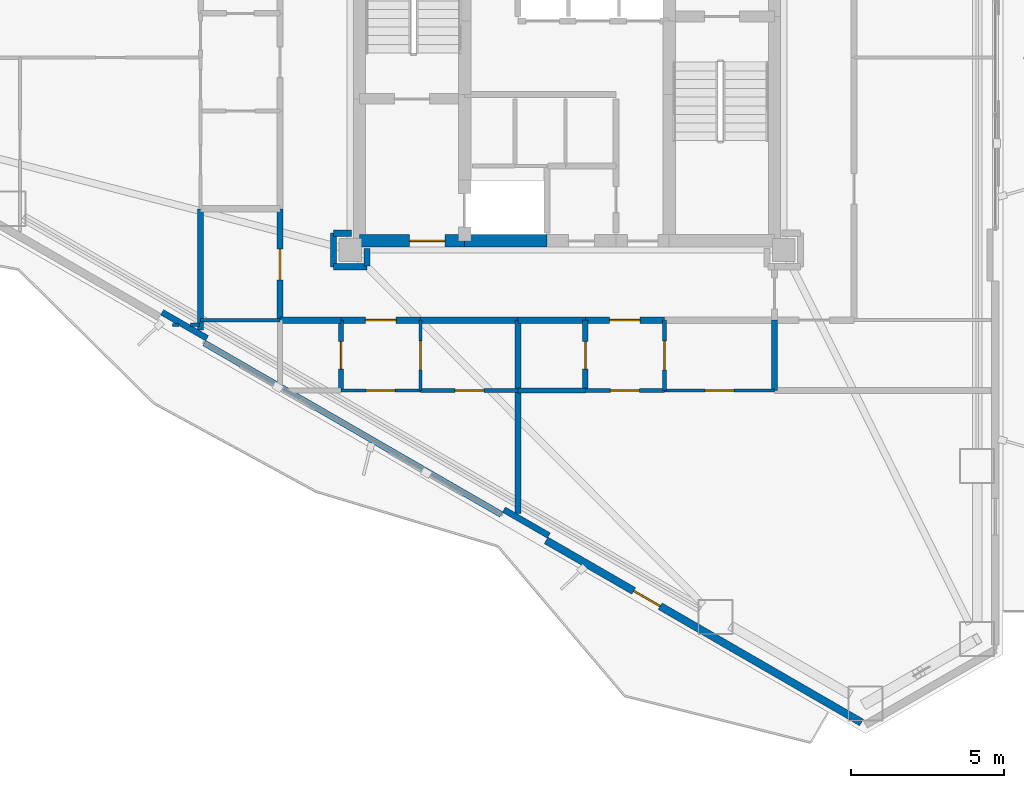
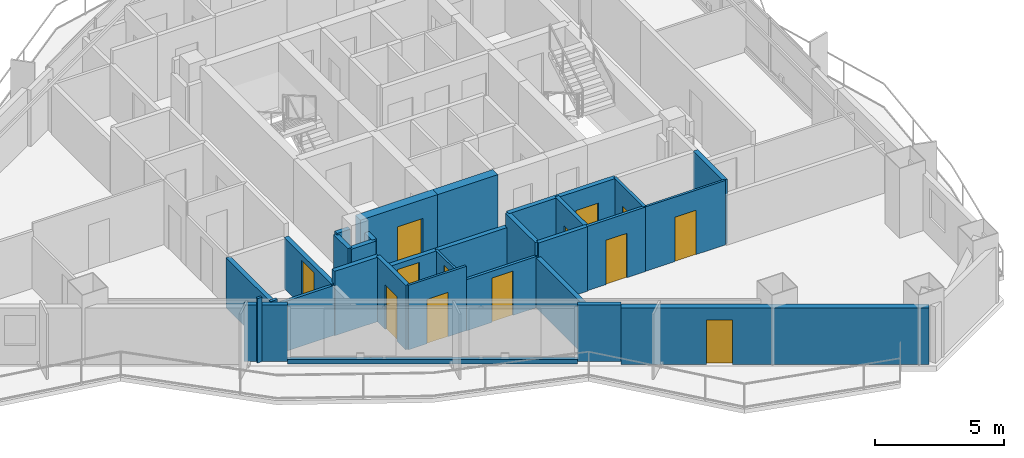
# One storey, part 16 of 23: 32 walls, 13 doors, 13 openings.
"""IFC4 building model written with IfcOpenShell, lengths in metres."""

import ifcopenshell
import ifcopenshell.guid

model = None  # the IFC model being written
_history = None  # IfcOwnerHistory: only IFC2X3 demands one
_inside = {}  # id of a spatial element -> (the spatial element, [elements in it])
_under = {}  # id of a project, library or spatial element -> (it, [spatial elements below it])
_declared = {}  # id of a project -> (the project, [libraries it declares])
_typed = {}  # id of a type object -> (the type object, [elements of that type])
_made_of = {}  # id of a material, layer set ... -> (it, [elements and type objects made of it])


def new_model(schema):
    """Start an empty IFC model of exactly this schema.

    Asked for "IFC4X3", IfcOpenShell would pick the latest addendum, in which some entities
    have other attributes; the version numbers below select the first issue.
    IFC2X3 requires an IfcOwnerHistory on every rooted entity: one is made here for all.
    """
    global model, _history
    if schema == "IFC4X3":
        model = ifcopenshell.file(schema_version=(4, 3, 0, 0))
    else:
        model = ifcopenshell.file(schema=schema)
    _inside.clear()
    _under.clear()
    _declared.clear()
    _typed.clear()
    _made_of.clear()
    _history = None
    if model.schema == "IFC2X3":
        org = make("IfcOrganization", Name="unknown")
        user = make(
            "IfcPersonAndOrganization",
            ThePerson=make("IfcPerson", FamilyName="unknown"),
            TheOrganization=org,
        )
        app = make(
            "IfcApplication",
            ApplicationDeveloper=org,
            Version="unknown",
            ApplicationFullName="unknown",
            ApplicationIdentifier="unknown",
        )
        _history = make(
            "IfcOwnerHistory",
            OwningUser=user,
            OwningApplication=app,
            ChangeAction="ADDED",
            CreationDate=0,
        )
    return model


def make(cls, **values):
    """One entity of the class cls with the attributes given. An attribute that is None is left unset."""
    return model.create_entity(
        cls, **{name: value for name, value in values.items() if value is not None}
    )


def rooted(cls, **values):
    """An entity with a GlobalId (a new one), such as an element, a storey or a relation."""
    return make(cls, GlobalId=ifcopenshell.guid.new(), OwnerHistory=_history, **values)


def si_unit(unit_type, name, prefix=None):
    """IfcSIUnit, for example si_unit("LENGTHUNIT", "METRE", prefix="MILLI")."""
    return make("IfcSIUnit", UnitType=unit_type, Prefix=prefix, Name=name)


def assignment(units):
    """IfcUnitAssignment: the units of a project."""
    return None if units is None else make("IfcUnitAssignment", Units=units)


def point(xyz):
    """IfcCartesianPoint."""
    return None if xyz is None else make("IfcCartesianPoint", Coordinates=xyz)


def direction(xyz):
    """IfcDirection."""
    return None if xyz is None else make("IfcDirection", DirectionRatios=xyz)


def frame(location, z_axis=None, x_axis=None):
    """IfcAxis2Placement3D, a coordinate frame: its origin and axes. An axis left out is left unset."""
    return make(
        "IfcAxis2Placement3D",
        Location=point(location),
        Axis=direction(z_axis),
        RefDirection=direction(x_axis),
    )


def frame_2d(location, x_axis=None):
    """IfcAxis2Placement2D, a coordinate frame in the plane: its origin and x axis."""
    return make(
        "IfcAxis2Placement2D", Location=point(location), RefDirection=direction(x_axis)
    )


def origin():
    """The frame at (0, 0, 0) with its axes left unset."""
    return frame((0.0, 0.0, 0.0))


def place(relative_to, where):
    """IfcLocalPlacement: puts the frame where relative to a parent placement (None: the world)."""
    return make(
        "IfcLocalPlacement", PlacementRelTo=relative_to, RelativePlacement=where
    )


def context(
    kind, dimensions, precision=None, world=None, true_north=None, identifier=None
):
    """IfcGeometricRepresentationContext, for example the 3D "Model" context."""
    return make(
        "IfcGeometricRepresentationContext",
        ContextIdentifier=identifier,
        ContextType=kind,
        CoordinateSpaceDimension=dimensions,
        Precision=precision,
        WorldCoordinateSystem=world,
        TrueNorth=true_north,
    )


def subcontext(parent, identifier, kind, view, scale=None):
    """IfcGeometricRepresentationSubContext, for example "Body" below "Model"."""
    return make(
        "IfcGeometricRepresentationSubContext",
        ContextIdentifier=identifier,
        ContextType=kind,
        ParentContext=parent,
        TargetScale=scale,
        TargetView=view,
    )


def project(units=None, contexts=None):
    """IfcProject with its units and contexts."""
    return rooted(
        "IfcProject",
        Name="project",
        RepresentationContexts=contexts,
        UnitsInContext=assignment(units),
    )


def spatial(cls, under=None, at=None, **own):
    """A site, building, storey or space (cls), placed at a placement, below another one or the project."""
    s = rooted(cls, ObjectPlacement=at, **own)
    if under is not None:
        _under.setdefault(under.id(), (under, []))[1].append(s)
    return s


def profile(cls, at=None, kind="AREA", **sizes):
    """A parametric profile (cls). Its sizes go by their IFC names, for example OverallWidth=200.0."""
    return make(cls, ProfileType=kind, Position=at, **sizes)


def rectangle(**sizes):
    """IfcRectangleProfileDef."""
    return profile("IfcRectangleProfileDef", **sizes)


def extrude(swept, where, along, depth):
    """IfcExtrudedAreaSolid: the profile swept, set in the frame where, extruded along a direction by depth."""
    return make(
        "IfcExtrudedAreaSolid",
        SweptArea=swept,
        Position=where,
        ExtrudedDirection=direction(along),
        Depth=depth,
    )


def shape(context_of_items, identifier, shape_type, items):
    """IfcShapeRepresentation: the items that make up one representation, for example the "Body"."""
    return make(
        "IfcShapeRepresentation",
        ContextOfItems=context_of_items,
        RepresentationIdentifier=identifier,
        RepresentationType=shape_type,
        Items=items,
    )


def material(Name=None, Category=None):
    """IfcMaterial."""
    return make("IfcMaterial", Name=Name, Category=Category)


def layer(
    of_material, thickness, ventilated=None, Name=None, Category=None, Priority=None
):
    """IfcMaterialLayer: one layer of a wall or slab, of a material (None: an air gap)."""
    return make(
        "IfcMaterialLayer",
        Material=of_material,
        LayerThickness=thickness,
        IsVentilated=ventilated,
        Name=Name,
        Category=Category,
        Priority=Priority,
    )


def layer_set(layers, Name=None):
    """IfcMaterialLayerSet."""
    return make("IfcMaterialLayerSet", MaterialLayers=layers, LayerSetName=Name)


def made_of(thing, what):
    """Note that an element or type object is made of a material, layer set ...; save() writes the relation."""
    if what is not None:
        _made_of.setdefault(what.id(), (what, []))[1].append(thing)
    return thing


def type_object(cls, material=None, **own):
    """A type object (cls), such as IfcWallType, which elements share."""
    return made_of(rooted(cls, **own), material)


def element(
    cls,
    number,
    at=None,
    inside=None,
    cuts=None,
    type_object=None,
    material=None,
    context=None,
    identifier="Body",
    shape_type=None,
    held_by="IfcProductDefinitionShape",
    body=None,
    shapes=None,
    **own,
):
    """One element of the class cls, such as IfcWall. Its Tag is "e" and its number.

    at: its placement. inside: the storey or other place that contains it. cuts: it is an
    opening in that element (IfcRelVoidsElement). A single representation is given by context,
    identifier, shape_type and body (its items); several are given by shapes. held_by: the class
    of the entity that holds the representations. save() writes the other relations.
    """
    e = rooted(cls, Tag="e%d" % number, ObjectPlacement=at, **own)
    if body is not None:
        shapes = [shape(context, identifier, shape_type, body)]
    if shapes is not None:
        e.Representation = make(held_by, Representations=shapes)
    if inside is not None:
        _inside.setdefault(inside.id(), (inside, []))[1].append(e)
    if cuts is not None:
        rooted(
            "IfcRelVoidsElement", RelatingBuildingElement=cuts, RelatedOpeningElement=e
        )
    if type_object is not None:
        _typed.setdefault(type_object.id(), (type_object, []))[1].append(e)
    return made_of(e, material)


def fill(opening, filler):
    """IfcRelFillsElement: the door or window that sits in an opening."""
    return rooted(
        "IfcRelFillsElement",
        RelatingOpeningElement=opening,
        RelatedBuildingElement=filler,
    )


def aggregate(whole, parts):
    """IfcRelAggregates: a whole, such as a stair, and the parts it consists of."""
    return rooted("IfcRelAggregates", RelatingObject=whole, RelatedObjects=parts)


def save(model, path):
    """Write the relations noted so far, then the file.

    IfcRelAggregates (storeys below a building ...), IfcRelContainedInSpatialStructure (elements
    in a storey), IfcRelDefinesByType, IfcRelAssociatesMaterial and IfcRelDeclares: one each for
    every whole, place, type object, material and project.
    """
    for whole, parts in _under.values():
        aggregate(whole, parts)
    for where, things in _inside.values():
        rooted(
            "IfcRelContainedInSpatialStructure",
            RelatedElements=things,
            RelatingStructure=where,
        )
    for kind, things in _typed.values():
        rooted("IfcRelDefinesByType", RelatedObjects=things, RelatingType=kind)
    for what, things in _made_of.values():
        rooted("IfcRelAssociatesMaterial", RelatedObjects=things, RelatingMaterial=what)
    for by, libraries in _declared.values():
        rooted("IfcRelDeclares", RelatingContext=by, RelatedDefinitions=libraries)
    model.write(path)


model = new_model("IFC4")

# Units and contexts
model_context = context("Model", 3, precision=1e-05, world=origin(), true_north=direction((0.0, 1.0)))
body_context = subcontext(model_context, "Body", "Model", "MODEL_VIEW")
ifc_project = project(units=[si_unit("LENGTHUNIT", "METRE"), si_unit("AREAUNIT", "SQUARE_METRE"), si_unit("VOLUMEUNIT", "CUBIC_METRE"), si_unit("PLANEANGLEUNIT", "RADIAN"), si_unit("MASSUNIT", "GRAM", prefix="KILO")], contexts=[model_context])

# Site, building, storey
site_placement = place(None, origin())
site = spatial("IfcSite", under=ifc_project, at=site_placement, CompositionType="ELEMENT")
building_placement = place(site_placement, origin())
building = spatial("IfcBuilding", under=site, at=building_placement, Name="Mersakhor Tower and Convention Hall", CompositionType="ELEMENT")
storey_placement = place(building_placement, frame((0.0, 0.0, 96.60009765625)))
storey = spatial("IfcBuildingStorey", under=building, at=storey_placement, Name="L26", CompositionType="ELEMENT", Elevation=96.60009765625)

# Wall, opening, door
ifc_material_1 = material(Name="Precast concrete C40/50", Category="concrete")
ifc_layer_1 = layer(ifc_material_1, 0.25)
ifc_layer_set_1 = layer_set([ifc_layer_1], Name="Precast concrete C40/50")
wall_type_1 = type_object("IfcWallType", Name="WL-EXT-250", PredefinedType="SOLIDWALL", material=ifc_layer_set_1)
wall_1_placement = place(storey_placement, frame((38.648681640625, 4.973388671875, 0.0), z_axis=(0.0, 0.0, 1.0), x_axis=(-0.866023023012, 0.500004123596, 0.0)))
wall_1 = element("IfcWall", 1, at=wall_1_placement, inside=storey, type_object=wall_type_1, Name="L26 Exterior Facade Wall F3-B1", PredefinedType="SOLIDWALL", context=body_context, shape_type="SweptSolid", body=[
    extrude(rectangle(XDim=11.9296875, YDim=0.25, at=frame_2d((5.96484375, 0.0))), origin(), (0.0, 0.0, 1.0), 2.669921875),
])
opening_1_placement = place(wall_1_placement, frame((7.615966796875, 0.0, 0.0)))
opening_1 = element("IfcOpeningElement", 2, at=opening_1_placement, cuts=wall_1, Name="Opening BD-01", PredefinedType="OPENING", context=body_context, shape_type="SweptSolid", body=[
    extrude(rectangle(XDim=1.0, YDim=2.10009765625, at=frame_2d((0.5, 1.050048828125))), frame((0.0, 0.135009765625, 0.0), z_axis=(0.0, -1.0, 0.0), x_axis=(1.0, 0.0, 0.0)), (0.0, 0.0, 1.0), 0.27001953125),
])
ifc_material_2 = material(Name="Thermally broken dark aluminium and safety glass", Category="aluminium")
door_type_1 = type_object("IfcDoorType", Name="DR-BAL-100x210", OperationType="NOTDEFINED", PredefinedType="DOOR", material=ifc_material_2)
door_1_placement = place(opening_1_placement, origin())
door_1 = element("IfcDoor", 3, at=door_1_placement, inside=storey, type_object=door_type_1, Name="L26 Balcony Terrace Door F3-B1", OperationType="SINGLE_SWING_LEFT", OverallHeight=2.10009765625, OverallWidth=1.0, PredefinedType="DOOR", context=body_context, shape_type="SweptSolid", body=[
    extrude(rectangle(XDim=1.0, YDim=2.10009765625, at=frame_2d((0.5, 1.050048828125))), frame((0.0, 0.02490234375, 0.0), z_axis=(0.0, -1.0, 0.0), x_axis=(1.0, 0.0, 0.0)), (0.0, 0.0, 1.0), 0.050048828125),
])
fill(opening_1, door_1)

# Walls
ifc_material_3 = material(Name="Precast concrete C40/50", Category="concrete")
ifc_layer_2 = layer(ifc_material_3, 0.199951171875)
ifc_layer_set_2 = layer_set([ifc_layer_2], Name="Precast concrete C40/50")
wall_type_2 = type_object("IfcWallType", Name="WL-PAR-200", PredefinedType="PARAPET", material=ifc_layer_set_2)
wall_2_placement = place(storey_placement, frame((26.84521484375, 11.788330078125, 0.0), z_axis=(0.0, 0.0, 1.0), x_axis=(-0.866027010039, 0.499997217876, 0.0)))
element("IfcWall", 4, at=wall_2_placement, inside=storey, type_object=wall_type_2, Name="L26 Curtain Wall Upstand Sill F3-B2", PredefinedType="PARAPET", context=body_context, shape_type="SweptSolid", body=[
    extrude(rectangle(XDim=11.2294921875, YDim=0.199951171875, at=frame_2d((5.61474609375, 0.0))), origin(), (0.0, 0.0, 1.0), 0.199951171875),
])
wall_3_placement = place(storey_placement, frame((28.407470703125, 11.09423828125, 0.0), z_axis=(0.0, 0.0, 1.0), x_axis=(-0.86605165483, 0.499954529098, 0.0)))
element("IfcWall", 5, at=wall_3_placement, inside=storey, type_object=wall_type_2, Name="L26 Column Pier Cladding Wall F3-C1", PredefinedType="PARAPET", context=body_context, shape_type="SweptSolid", body=[
    extrude(rectangle(XDim=1.699951171875, YDim=0.199951171875, at=frame_2d((0.85009765625, 0.0))), origin(), (0.0, 0.0, 1.0), 2.669921875),
])
wall_4_placement = place(storey_placement, frame((17.210205078125, 17.558837890625, 0.0), z_axis=(0.0, 0.0, 1.0), x_axis=(-0.866025371046, 0.500000056704, 0.0)))
element("IfcWall", 6, at=wall_4_placement, inside=storey, type_object=wall_type_2, Name="L26 Column Pier Cladding Wall F3-C2", PredefinedType="PARAPET", context=body_context, shape_type="SweptSolid", body=[
    extrude(rectangle(XDim=1.7001953125, YDim=0.199951171875, at=frame_2d((0.85009765625, 0.0))), origin(), (0.0, 0.0, 1.0), 2.669921875),
])

# Wall, opening, door
ifc_material_4 = material(Name="Moisture-resistant acoustic drywall studwork", Category="other")
ifc_layer_3 = layer(ifc_material_4, 0.175048828125)
ifc_layer_set_3 = layer_set([ifc_layer_3], Name="Moisture-resistant acoustic drywall studwork")
wall_type_3 = type_object("IfcWallType", Name="WL-PLM-175", PredefinedType="PLUMBINGWALL", material=ifc_layer_set_3)
wall_5_placement = place(storey_placement, frame((21.60009765625, 15.85009765625, 0.0), z_axis=(0.0, 0.0, 1.0), x_axis=(0.0, 1.0, 0.0)))
wall_5 = element("IfcWall", 7, at=wall_5_placement, inside=storey, type_object=wall_type_3, Name="L26 Interior Partition Wall P-067", PredefinedType="PLUMBINGWALL", context=body_context, shape_type="SweptSolid", body=[
    extrude(rectangle(XDim=2.2998046875, YDim=0.175048828125, at=frame_2d((1.14990234375, 0.0))), origin(), (0.0, 0.0, 1.0), 3.0498046875),
])
opening_2_placement = place(wall_5_placement, frame((0.699951171875, 0.0, 0.0)))
opening_2 = element("IfcOpeningElement", 8, at=opening_2_placement, cuts=wall_5, Name="Opening WD-01", PredefinedType="OPENING", context=body_context, shape_type="SweptSolid", body=[
    extrude(rectangle(XDim=0.89990234375, YDim=2.10009765625, at=frame_2d((0.449951171875, 1.050048828125))), frame((0.0, 0.097412109375, 0.0), z_axis=(0.0, -1.0, 0.0), x_axis=(1.0, 0.0, 0.0)), (0.0, 0.0, 1.0), 0.195068359375),
])
ifc_material_5 = material(Name="Solid-core hardwood leaf in painted steel frame", Category="steel")
door_type_2 = type_object("IfcDoorType", Name="DR-INT-WET-090x210", OperationType="NOTDEFINED", PredefinedType="DOOR", material=ifc_material_5)
door_2_placement = place(opening_2_placement, origin())
door_2 = element("IfcDoor", 9, at=door_2_placement, inside=storey, type_object=door_type_2, Name="L26 L26 Flat S3 Apartment Hall to L26 Flat S3 Bathroom Door", OperationType="SINGLE_SWING_RIGHT", OverallHeight=2.10009765625, OverallWidth=0.89990234375, PredefinedType="DOOR", context=body_context, shape_type="SweptSolid", body=[
    extrude(rectangle(XDim=0.89990234375, YDim=2.10009765625, at=frame_2d((0.449951171875, 1.050048828125))), frame((0.0, 0.02490234375, 0.0), z_axis=(0.0, -1.0, 0.0), x_axis=(1.0, 0.0, 0.0)), (0.0, 0.0, 1.0), 0.050048828125),
])
fill(opening_2, door_2)

wall_6_placement = place(storey_placement, frame((29.60009765625, 15.85009765625, 0.0), z_axis=(0.0, 0.0, 1.0), x_axis=(0.0, 1.0, 0.0)))
wall_6 = element("IfcWall", 10, at=wall_6_placement, inside=storey, type_object=wall_type_3, Name="L26 Interior Partition Wall P-070", PredefinedType="PLUMBINGWALL", context=body_context, shape_type="SweptSolid", body=[
    extrude(rectangle(XDim=2.2998046875, YDim=0.175048828125, at=frame_2d((1.14990234375, 0.0))), origin(), (0.0, 0.0, 1.0), 3.0498046875),
])
opening_3_placement = place(wall_6_placement, frame((0.699951171875, 0.0, 0.0)))
opening_3 = element("IfcOpeningElement", 11, at=opening_3_placement, cuts=wall_6, Name="Opening WD-01", PredefinedType="OPENING", context=body_context, shape_type="SweptSolid", body=[
    extrude(rectangle(XDim=0.89990234375, YDim=2.10009765625, at=frame_2d((0.449951171875, 1.050048828125))), frame((0.0, 0.097412109375, 0.0), z_axis=(0.0, -1.0, 0.0), x_axis=(1.0, 0.0, 0.0)), (0.0, 0.0, 1.0), 0.195068359375),
])
door_3_placement = place(opening_3_placement, origin())
door_3 = element("IfcDoor", 12, at=door_3_placement, inside=storey, type_object=door_type_2, Name="L26 L26 Flat S4 Apartment Hall to L26 Flat S4 Bathroom Door", OperationType="SINGLE_SWING_LEFT", OverallHeight=2.10009765625, OverallWidth=0.89990234375, PredefinedType="DOOR", context=body_context, shape_type="SweptSolid", body=[
    extrude(rectangle(XDim=0.89990234375, YDim=2.10009765625, at=frame_2d((0.449951171875, 1.050048828125))), frame((0.0, 0.02490234375, 0.0), z_axis=(0.0, -1.0, 0.0), x_axis=(1.0, 0.0, 0.0)), (0.0, 0.0, 1.0), 0.050048828125),
])
fill(opening_3, door_3)

# Wall
wall_7_placement = place(storey_placement, frame((29.60009765625, 15.85009765625, 0.0), z_axis=(0.0, 0.0, 1.0), x_axis=(-1.0, 0.0, 0.0)))
element("IfcWall", 13, at=wall_7_placement, inside=storey, type_object=wall_type_3, Name="L26 Interior Partition Wall P-087", PredefinedType="PLUMBINGWALL", context=body_context, shape_type="SweptSolid", body=[
    extrude(rectangle(XDim=2.2001953125, YDim=0.175048828125, at=frame_2d((1.10009765625, 0.0))), origin(), (0.0, 0.0, 1.0), 3.0498046875),
])

# Wall, opening, door
ifc_material_6 = material(Name="Lightweight gypsum partition", Category="other")
ifc_layer_4 = layer(ifc_material_6, 0.10009765625)
ifc_layer_set_4 = layer_set([ifc_layer_4], Name="Lightweight gypsum partition")
wall_type_4 = type_object("IfcWallType", Name="WL-PRT-100", PredefinedType="PARTITIONING", material=ifc_layer_set_4)
wall_8_placement = place(storey_placement, frame((24.199951171875, 15.85009765625, 0.0), z_axis=(0.0, 0.0, 1.0), x_axis=(-1.0, 0.0, 0.0)))
wall_8 = element("IfcWall", 14, at=wall_8_placement, inside=storey, type_object=wall_type_4, Name="L26 Interior Partition Wall P-066", PredefinedType="PARTITIONING", context=body_context, shape_type="SweptSolid", body=[
    extrude(rectangle(XDim=2.599853515625, YDim=0.10009765625, at=frame_2d((1.2998046875, 0.0))), origin(), (0.0, 0.0, 1.0), 3.0498046875),
])
opening_4_placement = place(wall_8_placement, frame((0.824951171875, 0.0, 0.0)))
opening_4 = element("IfcOpeningElement", 15, at=opening_4_placement, cuts=wall_8, Name="Opening RD-01", PredefinedType="OPENING", context=body_context, shape_type="SweptSolid", body=[
    extrude(rectangle(XDim=0.949951171875, YDim=2.10009765625, at=frame_2d((0.47509765625, 1.050048828125))), frame((0.0, 0.06005859375, 0.0), z_axis=(0.0, -1.0, 0.0), x_axis=(1.0, 0.0, 0.0)), (0.0, 0.0, 1.0), 0.1201171875),
])
ifc_material_7 = material(Name="Solid-core hardwood leaf in painted steel frame", Category="steel")
door_type_3 = type_object("IfcDoorType", Name="DR-INT-RM-095x210", OperationType="NOTDEFINED", PredefinedType="DOOR", material=ifc_material_7)
door_4_placement = place(opening_4_placement, origin())
door_4 = element("IfcDoor", 16, at=door_4_placement, inside=storey, type_object=door_type_3, Name="L26 L26 Flat S3 Apartment Hall to L26 Flat S3 Studio Living and Sleeping Room Door", OperationType="SINGLE_SWING_RIGHT", OverallHeight=2.10009765625, OverallWidth=0.949951171875, PredefinedType="DOOR", context=body_context, shape_type="SweptSolid", body=[
    extrude(rectangle(XDim=0.949951171875, YDim=2.10009765625, at=frame_2d((0.47509765625, 1.050048828125))), frame((0.0, 0.02490234375, 0.0), z_axis=(0.0, -1.0, 0.0), x_axis=(1.0, 0.0, 0.0)), (0.0, 0.0, 1.0), 0.050048828125),
])
fill(opening_4, door_4)

wall_9_placement = place(storey_placement, frame((24.199951171875, 18.14990234375, 0.0), z_axis=(0.0, 0.0, 1.0), x_axis=(0.0, -1.0, 0.0)))
wall_9 = element("IfcWall", 17, at=wall_9_placement, inside=storey, type_object=wall_type_4, Name="L26 Interior Partition Wall P-068", PredefinedType="PARTITIONING", context=body_context, shape_type="SweptSolid", body=[
    extrude(rectangle(XDim=2.2998046875, YDim=0.10009765625, at=frame_2d((1.14990234375, 0.0))), origin(), (0.0, 0.0, 1.0), 2.422607421875),
])
opening_5_placement = place(wall_9_placement, frame((0.675048828125, 0.0, 0.0)))
opening_5 = element("IfcOpeningElement", 18, at=opening_5_placement, cuts=wall_9, Name="Opening RD-01", PredefinedType="OPENING", context=body_context, shape_type="SweptSolid", body=[
    extrude(rectangle(XDim=0.949951171875, YDim=2.10009765625, at=frame_2d((0.47509765625, 1.050048828125))), frame((0.0, 0.06005859375, 0.0), z_axis=(0.0, -1.0, 0.0), x_axis=(1.0, 0.0, 0.0)), (0.0, 0.0, 1.0), 0.1201171875),
])
door_5_placement = place(opening_5_placement, origin())
door_5 = element("IfcDoor", 19, at=door_5_placement, inside=storey, type_object=door_type_3, Name="L26 L26 Flat S3 Apartment Hall to L26 Flat S3 Kitchen Door", OperationType="SINGLE_SWING_LEFT", OverallHeight=2.10009765625, OverallWidth=0.949951171875, PredefinedType="DOOR", context=body_context, shape_type="SweptSolid", body=[
    extrude(rectangle(XDim=0.949951171875, YDim=2.10009765625, at=frame_2d((0.47509765625, 1.050048828125))), frame((0.0, 0.02490234375, 0.0), z_axis=(0.0, -1.0, 0.0), x_axis=(1.0, 0.0, 0.0)), (0.0, 0.0, 1.0), 0.050048828125),
])
fill(opening_5, door_5)

wall_10_placement = place(storey_placement, frame((35.800048828125, 15.85009765625, 0.0), z_axis=(0.0, 0.0, 1.0), x_axis=(-1.0, 0.0, 0.0)))
wall_10 = element("IfcWall", 20, at=wall_10_placement, inside=storey, type_object=wall_type_4, Name="L26 Interior Partition Wall P-088", PredefinedType="PARTITIONING", context=body_context, shape_type="SweptSolid", body=[
    extrude(rectangle(XDim=3.60009765625, YDim=0.10009765625, at=frame_2d((1.800048828125, 0.0))), origin(), (0.0, 0.0, 1.0), 3.0498046875),
])
opening_6_placement = place(wall_10_placement, frame((1.324951171875, 0.0, 0.0)))
opening_6 = element("IfcOpeningElement", 21, at=opening_6_placement, cuts=wall_10, Name="Opening RD-01", PredefinedType="OPENING", context=body_context, shape_type="SweptSolid", body=[
    extrude(rectangle(XDim=0.949951171875, YDim=2.10009765625, at=frame_2d((0.47509765625, 1.050048828125))), frame((0.0, 0.06005859375, 0.0), z_axis=(0.0, -1.0, 0.0), x_axis=(1.0, 0.0, 0.0)), (0.0, 0.0, 1.0), 0.1201171875),
])
door_6_placement = place(opening_6_placement, origin())
door_6 = element("IfcDoor", 22, at=door_6_placement, inside=storey, type_object=door_type_3, Name="L26 L26 Flat S4 Kitchen to L26 Flat S4 Studio Living and Sleeping Room Door", OperationType="SINGLE_SWING_LEFT", OverallHeight=2.10009765625, OverallWidth=0.949951171875, PredefinedType="DOOR", context=body_context, shape_type="SweptSolid", body=[
    extrude(rectangle(XDim=0.949951171875, YDim=2.10009765625, at=frame_2d((0.47509765625, 1.050048828125))), frame((0.0, 0.02490234375, 0.0), z_axis=(0.0, -1.0, 0.0), x_axis=(1.0, 0.0, 0.0)), (0.0, 0.0, 1.0), 0.050048828125),
])
fill(opening_6, door_6)

# Wall
wall_11_placement = place(storey_placement, frame((16.2861328125, 18.0, 0.0), z_axis=(0.0, 0.0, 1.0), x_axis=(-1.0, 0.0, 0.0)))
element("IfcWall", 23, at=wall_11_placement, inside=storey, type_object=wall_type_4, Name="L26 Interior Partition Wall P-112", PredefinedType="PARTITIONING", context=body_context, shape_type="SweptSolid", body=[
    extrude(rectangle(XDim=0.2001953125, YDim=0.10009765625, at=frame_2d((0.10009765625, 0.0))), origin(), (0.0, 0.0, 1.0), 3.0498046875),
])

# Wall, opening, door
ifc_material_8 = material(Name="Gypsum board acoustic partition", Category="other")
ifc_layer_5 = layer(ifc_material_8, 0.125)
ifc_layer_set_5 = layer_set([ifc_layer_5], Name="Gypsum board acoustic partition")
wall_type_5 = type_object("IfcWallType", Name="WL-PRT-125", PredefinedType="PARTITIONING", material=ifc_layer_set_5)
wall_12_placement = place(storey_placement, frame((32.199951171875, 15.85009765625, 0.0), z_axis=(0.0, 0.0, 1.0), x_axis=(-1.0, 0.0, 0.0)))
wall_12 = element("IfcWall", 24, at=wall_12_placement, inside=storey, type_object=wall_type_5, Name="L26 Interior Partition Wall P-069", PredefinedType="PARTITIONING", context=body_context, shape_type="SweptSolid", body=[
    extrude(rectangle(XDim=2.599853515625, YDim=0.125, at=frame_2d((1.2998046875, 0.0))), origin(), (0.0, 0.0, 1.0), 3.0498046875),
])
opening_7_placement = place(wall_12_placement, frame((0.824951171875, 0.0, 0.0)))
opening_7 = element("IfcOpeningElement", 25, at=opening_7_placement, cuts=wall_12, Name="Opening RD-01", PredefinedType="OPENING", context=body_context, shape_type="SweptSolid", body=[
    extrude(rectangle(XDim=0.949951171875, YDim=2.10009765625, at=frame_2d((0.47509765625, 1.050048828125))), frame((0.0, 0.072509765625, 0.0), z_axis=(0.0, -1.0, 0.0), x_axis=(1.0, 0.0, 0.0)), (0.0, 0.0, 1.0), 0.14501953125),
])
door_7_placement = place(opening_7_placement, origin())
door_7 = element("IfcDoor", 26, at=door_7_placement, inside=storey, type_object=door_type_3, Name="L26 L26 Flat S4 Apartment Hall to L26 Flat S4 Studio Living and Sleeping Room Door", OperationType="SINGLE_SWING_LEFT", OverallHeight=2.10009765625, OverallWidth=0.949951171875, PredefinedType="DOOR", context=body_context, shape_type="SweptSolid", body=[
    extrude(rectangle(XDim=0.949951171875, YDim=2.10009765625, at=frame_2d((0.47509765625, 1.050048828125))), frame((0.0, 0.02490234375, 0.0), z_axis=(0.0, -1.0, 0.0), x_axis=(1.0, 0.0, 0.0)), (0.0, 0.0, 1.0), 0.050048828125),
])
fill(opening_7, door_7)

wall_13_placement = place(storey_placement, frame((32.199951171875, 18.14990234375, 0.0), z_axis=(0.0, 0.0, 1.0), x_axis=(0.0, -1.0, 0.0)))
wall_13 = element("IfcWall", 27, at=wall_13_placement, inside=storey, type_object=wall_type_5, Name="L26 Interior Partition Wall P-071", PredefinedType="PARTITIONING", context=body_context, shape_type="SweptSolid", body=[
    extrude(rectangle(XDim=2.2998046875, YDim=0.125, at=frame_2d((1.14990234375, 0.0))), origin(), (0.0, 0.0, 1.0), 3.0498046875),
])
opening_8_placement = place(wall_13_placement, frame((0.675048828125, 0.0, 0.0)))
opening_8 = element("IfcOpeningElement", 28, at=opening_8_placement, cuts=wall_13, Name="Opening RD-01", PredefinedType="OPENING", context=body_context, shape_type="SweptSolid", body=[
    extrude(rectangle(XDim=0.949951171875, YDim=2.10009765625, at=frame_2d((0.47509765625, 1.050048828125))), frame((0.0, 0.072509765625, 0.0), z_axis=(0.0, -1.0, 0.0), x_axis=(1.0, 0.0, 0.0)), (0.0, 0.0, 1.0), 0.14501953125),
])
door_8_placement = place(opening_8_placement, origin())
door_8 = element("IfcDoor", 29, at=door_8_placement, inside=storey, type_object=door_type_3, Name="L26 L26 Flat S4 Apartment Hall to L26 Flat S4 Kitchen Door", OperationType="SINGLE_SWING_RIGHT", OverallHeight=2.10009765625, OverallWidth=0.949951171875, PredefinedType="DOOR", context=body_context, shape_type="SweptSolid", body=[
    extrude(rectangle(XDim=0.949951171875, YDim=2.10009765625, at=frame_2d((0.47509765625, 1.050048828125))), frame((0.0, 0.02490234375, 0.0), z_axis=(0.0, -1.0, 0.0), x_axis=(1.0, 0.0, 0.0)), (0.0, 0.0, 1.0), 0.050048828125),
])
fill(opening_8, door_8)

wall_14_placement = place(storey_placement, frame((27.39990234375, 15.85009765625, 0.0), z_axis=(0.0, 0.0, 1.0), x_axis=(-1.0, 0.0, 0.0)))
wall_14 = element("IfcWall", 30, at=wall_14_placement, inside=storey, type_object=wall_type_5, Name="L26 Interior Partition Wall P-085", PredefinedType="PARTITIONING", context=body_context, shape_type="SweptSolid", body=[
    extrude(rectangle(XDim=3.199951171875, YDim=0.125, at=frame_2d((1.60009765625, 0.0))), origin(), (0.0, 0.0, 1.0), 2.422607421875),
])
opening_9_placement = place(wall_14_placement, frame((1.125, 0.0, 0.0)))
opening_9 = element("IfcOpeningElement", 31, at=opening_9_placement, cuts=wall_14, Name="Opening RD-01", PredefinedType="OPENING", context=body_context, shape_type="SweptSolid", body=[
    extrude(rectangle(XDim=0.949951171875, YDim=2.10009765625, at=frame_2d((0.47509765625, 1.050048828125))), frame((0.0, 0.072509765625, 0.0), z_axis=(0.0, -1.0, 0.0), x_axis=(1.0, 0.0, 0.0)), (0.0, 0.0, 1.0), 0.14501953125),
])
door_9_placement = place(opening_9_placement, origin())
door_9 = element("IfcDoor", 32, at=door_9_placement, inside=storey, type_object=door_type_3, Name="L26 L26 Flat S3 Kitchen to L26 Flat S3 Studio Living and Sleeping Room Door", OperationType="SINGLE_SWING_RIGHT", OverallHeight=2.10009765625, OverallWidth=0.949951171875, PredefinedType="DOOR", context=body_context, shape_type="SweptSolid", body=[
    extrude(rectangle(XDim=0.949951171875, YDim=2.10009765625, at=frame_2d((0.47509765625, 1.050048828125))), frame((0.0, 0.02490234375, 0.0), z_axis=(0.0, -1.0, 0.0), x_axis=(1.0, 0.0, 0.0)), (0.0, 0.0, 1.0), 0.050048828125),
])
fill(opening_9, door_9)

# Walls
wall_15_placement = place(storey_placement, frame((19.60009765625, 18.14990234375, 0.0), z_axis=(0.0, 0.0, 1.0), x_axis=(-1.0, 0.0, 0.0)))
element("IfcWall", 33, at=wall_15_placement, inside=storey, type_object=wall_type_5, Name="L26 Interior Partition Wall P-101", PredefinedType="PARTITIONING", context=body_context, shape_type="SweptSolid", body=[
    extrude(rectangle(XDim=2.60009765625, YDim=0.125, at=frame_2d((1.300048828125, 0.0))), origin(), (0.0, 0.0, 1.0), 2.364990234375),
])
wall_16_placement = place(storey_placement, frame((16.969970703125, 18.0, 0.0), z_axis=(0.0, 0.0, 1.0), x_axis=(-1.0, 0.0, 0.0)))
element("IfcWall", 34, at=wall_16_placement, inside=storey, type_object=wall_type_5, Name="L26 Interior Partition Wall P-111", PredefinedType="PARTITIONING", context=body_context, shape_type="SweptSolid", body=[
    extrude(rectangle(XDim=0.29833984375, YDim=0.125, at=frame_2d((0.149169921875, 0.0))), origin(), (0.0, 0.0, 1.0), 2.71435546875),
])
ifc_material_9 = material(Name="Acoustic concrete blockwork and gypsum board", Category="masonry")
ifc_layer_6 = layer(ifc_material_9, 0.199951171875)
ifc_layer_set_6 = layer_set([ifc_layer_6], Name="Acoustic concrete blockwork and gypsum board")
wall_type_6 = type_object("IfcWallType", Name="WL-PRT-200", PredefinedType="PARTITIONING", material=ifc_layer_set_6)
wall_17_placement = place(storey_placement, frame((21.35009765625, 19.89990234375, 0.0), z_axis=(0.0, 0.0, 1.0), x_axis=(1.0, 0.0, 0.0)))
element("IfcWall", 35, at=wall_17_placement, inside=storey, type_object=wall_type_6, Name="L26 Interior Partition Wall P-019", PredefinedType="PARTITIONING", context=body_context, shape_type="SweptSolid", body=[
    extrude(rectangle(XDim=1.099853515625, YDim=0.199951171875, at=frame_2d((0.5498046875, 0.0))), origin(), (0.0, 0.0, 1.0), 2.422607421875),
])
wall_18_placement = place(storey_placement, frame((22.449951171875, 19.929931640625, 0.0), z_axis=(0.0, 0.0, 1.0), x_axis=(0.0, 1.0, 0.0)))
element("IfcWall", 36, at=wall_18_placement, inside=storey, type_object=wall_type_6, Name="L26 Interior Partition Wall P-020", PredefinedType="PARTITIONING", context=body_context, shape_type="SweptSolid", body=[
    extrude(rectangle(XDim=0.570068359375, YDim=0.199951171875, at=frame_2d((0.28515625, 0.0))), origin(), (0.0, 0.0, 1.0), 2.422607421875),
])

# Wall, opening, door
wall_19_placement = place(storey_placement, frame((32.199951171875, 18.14990234375, 0.0), z_axis=(0.0, 0.0, 1.0), x_axis=(-1.0, 0.0, 0.0)))
wall_19 = element("IfcWall", 37, at=wall_19_placement, inside=storey, type_object=wall_type_6, Name="L26 Interior Partition Wall P-025", PredefinedType="PARTITIONING", context=body_context, shape_type="SweptSolid", body=[
    extrude(rectangle(XDim=2.599853515625, YDim=0.199951171875, at=frame_2d((1.2998046875, 0.0))), origin(), (0.0, 0.0, 1.0), 3.0498046875),
])
opening_10_placement = place(wall_19_placement, frame((0.800048828125, 0.0, 0.0)))
opening_10 = element("IfcOpeningElement", 38, at=opening_10_placement, cuts=wall_19, Name="Opening FD-01", PredefinedType="OPENING", context=body_context, shape_type="SweptSolid", body=[
    extrude(rectangle(XDim=1.0, YDim=2.14990234375, at=frame_2d((0.5, 1.074951171875))), frame((0.0, 0.10986328125, 0.0), z_axis=(0.0, -1.0, 0.0), x_axis=(1.0, 0.0, 0.0)), (0.0, 0.0, 1.0), 0.219970703125),
])
ifc_material_10 = material(Name="Fire-rated hardwood leaf and painted steel frame", Category="steel")
door_type_4 = type_object("IfcDoorType", Name="DR-INT-FLT-100x215", OperationType="NOTDEFINED", PredefinedType="DOOR", material=ifc_material_10)
door_10_placement = place(opening_10_placement, origin())
door_10 = element("IfcDoor", 39, at=door_10_placement, inside=storey, type_object=door_type_4, Name="L26 Apartment Entrance Door (Residential Ring Corridor to L26 Flat S4 Apartment Hall)", OperationType="SINGLE_SWING_RIGHT", OverallHeight=2.14990234375, OverallWidth=1.0, PredefinedType="DOOR", context=body_context, shape_type="SweptSolid", body=[
    extrude(rectangle(XDim=1.0, YDim=2.14990234375, at=frame_2d((0.5, 1.074951171875))), frame((0.0, 0.02490234375, 0.0), z_axis=(0.0, -1.0, 0.0), x_axis=(1.0, 0.0, 0.0)), (0.0, 0.0, 1.0), 0.050048828125),
])
fill(opening_10, door_10)

# Walls
wall_20_placement = place(storey_placement, frame((29.60009765625, 18.14990234375, 0.0), z_axis=(0.0, 0.0, 1.0), x_axis=(-1.0, 0.0, 0.0)))
element("IfcWall", 40, at=wall_20_placement, inside=storey, type_object=wall_type_6, Name="L26 Interior Partition Wall P-026", PredefinedType="PARTITIONING", context=body_context, shape_type="SweptSolid", body=[
    extrude(rectangle(XDim=2.2001953125, YDim=0.199951171875, at=frame_2d((1.10009765625, 0.0))), origin(), (0.0, 0.0, 1.0), 3.0498046875),
])
wall_21_placement = place(storey_placement, frame((27.39990234375, 18.14990234375, 0.0), z_axis=(0.0, 0.0, 1.0), x_axis=(-1.0, 0.0, 0.0)))
element("IfcWall", 41, at=wall_21_placement, inside=storey, type_object=wall_type_6, Name="L26 Interior Partition Wall P-027", PredefinedType="PARTITIONING", context=body_context, shape_type="SweptSolid", body=[
    extrude(rectangle(XDim=3.199951171875, YDim=0.199951171875, at=frame_2d((1.60009765625, 0.0))), origin(), (0.0, 0.0, 1.0), 2.422607421875),
])

# Wall, opening, door
wall_22_placement = place(storey_placement, frame((24.199951171875, 18.14990234375, 0.0), z_axis=(0.0, 0.0, 1.0), x_axis=(-1.0, 0.0, 0.0)))
wall_22 = element("IfcWall", 42, at=wall_22_placement, inside=storey, type_object=wall_type_6, Name="L26 Interior Partition Wall P-028", PredefinedType="PARTITIONING", context=body_context, shape_type="SweptSolid", body=[
    extrude(rectangle(XDim=2.599853515625, YDim=0.199951171875, at=frame_2d((1.2998046875, 0.0))), origin(), (0.0, 0.0, 1.0), 2.422607421875),
])
opening_11_placement = place(wall_22_placement, frame((0.800048828125, 0.0, 0.0)))
opening_11 = element("IfcOpeningElement", 43, at=opening_11_placement, cuts=wall_22, Name="Opening FD-01", PredefinedType="OPENING", context=body_context, shape_type="SweptSolid", body=[
    extrude(rectangle(XDim=1.0, YDim=2.14990234375, at=frame_2d((0.5, 1.074951171875))), frame((0.0, 0.10986328125, 0.0), z_axis=(0.0, -1.0, 0.0), x_axis=(1.0, 0.0, 0.0)), (0.0, 0.0, 1.0), 0.219970703125),
])
door_11_placement = place(opening_11_placement, origin())
door_11 = element("IfcDoor", 44, at=door_11_placement, inside=storey, type_object=door_type_4, Name="L26 Apartment Entrance Door (Residential Ring Corridor to L26 Flat S3 Apartment Hall)", OperationType="SINGLE_SWING_LEFT", OverallHeight=2.14990234375, OverallWidth=1.0, PredefinedType="DOOR", context=body_context, shape_type="SweptSolid", body=[
    extrude(rectangle(XDim=1.0, YDim=2.14990234375, at=frame_2d((0.5, 1.074951171875))), frame((0.0, 0.02490234375, 0.0), z_axis=(0.0, -1.0, 0.0), x_axis=(1.0, 0.0, 0.0)), (0.0, 0.0, 1.0), 0.050048828125),
])
fill(opening_11, door_11)

# Wall
wall_23_placement = place(storey_placement, frame((21.60009765625, 18.14990234375, 0.0), z_axis=(0.0, 0.0, 1.0), x_axis=(-1.0, 0.0, 0.0)))
element("IfcWall", 45, at=wall_23_placement, inside=storey, type_object=wall_type_6, Name="L26 Interior Partition Wall P-029", PredefinedType="PARTITIONING", context=body_context, shape_type="SweptSolid", body=[
    extrude(rectangle(XDim=2.0, YDim=0.199951171875, at=frame_2d((1.0, 0.0))), origin(), (0.0, 0.0, 1.0), 3.0498046875),
])

# Wall, opening, door
wall_24_placement = place(storey_placement, frame((19.60009765625, 18.14990234375, 0.0), z_axis=(0.0, 0.0, 1.0), x_axis=(0.0, 1.0, 0.0)))
wall_24 = element("IfcWall", 46, at=wall_24_placement, inside=storey, type_object=wall_type_6, Name="L26 Interior Partition Wall P-030", PredefinedType="PARTITIONING", context=body_context, shape_type="SweptSolid", body=[
    extrude(rectangle(XDim=3.650146484375, YDim=0.199951171875, at=frame_2d((1.8251953125, 0.0))), origin(), (0.0, 0.0, 1.0), 2.422607421875),
])
opening_12_placement = place(wall_24_placement, frame((1.324951171875, 0.0, 0.0)))
opening_12 = element("IfcOpeningElement", 47, at=opening_12_placement, cuts=wall_24, Name="Opening FD-01", PredefinedType="OPENING", context=body_context, shape_type="SweptSolid", body=[
    extrude(rectangle(XDim=1.0, YDim=2.14990234375, at=frame_2d((0.5, 1.074951171875))), frame((0.0, 0.10986328125, 0.0), z_axis=(0.0, -1.0, 0.0), x_axis=(1.0, 0.0, 0.0)), (0.0, 0.0, 1.0), 0.219970703125),
])
door_12_placement = place(opening_12_placement, origin())
door_12 = element("IfcDoor", 48, at=door_12_placement, inside=storey, type_object=door_type_4, Name="L26 Residential Ring Corridor to L26 West Wing Shared Laundry Room Door", OperationType="SINGLE_SWING_LEFT", OverallHeight=2.14990234375, OverallWidth=1.0, PredefinedType="DOOR", context=body_context, shape_type="SweptSolid", body=[
    extrude(rectangle(XDim=1.0, YDim=2.14990234375, at=frame_2d((0.5, 1.074951171875))), frame((0.0, 0.02490234375, 0.0), z_axis=(0.0, -1.0, 0.0), x_axis=(1.0, 0.0, 0.0)), (0.0, 0.0, 1.0), 0.050048828125),
])
fill(opening_12, door_12)

# Walls
wall_25_placement = place(storey_placement, frame((21.949951171875, 21.0, 0.0), z_axis=(0.0, 0.0, 1.0), x_axis=(-1.0, 0.0, 0.0)))
element("IfcWall", 49, at=wall_25_placement, inside=storey, type_object=wall_type_6, Name="L26 Interior Partition Wall P-048", PredefinedType="PARTITIONING", context=body_context, shape_type="SweptSolid", body=[
    extrude(rectangle(XDim=0.599853515625, YDim=0.199951171875, at=frame_2d((0.2998046875, 0.0))), origin(), (0.0, 0.0, 1.0), 2.498291015625),
])
wall_26_placement = place(storey_placement, frame((21.35009765625, 21.0, 0.0), z_axis=(0.0, 0.0, 1.0), x_axis=(0.0, -1.0, 0.0)))
element("IfcWall", 50, at=wall_26_placement, inside=storey, type_object=wall_type_6, Name="L26 Interior Partition Wall P-049", PredefinedType="PARTITIONING", context=body_context, shape_type="SweptSolid", body=[
    extrude(rectangle(XDim=1.10009765625, YDim=0.199951171875, at=frame_2d((0.550048828125, 0.0))), origin(), (0.0, 0.0, 1.0), 2.422607421875),
])
for number, where, z_axis, x_axis, name in (
    (51, (27.39990234375, 18.14990234375, 0.0), (0.0, 0.0, 1.0), (0.0, -1.0, 0.0), "L26 Interior Partition Wall P-086"),
    (52, (35.800048828125, 18.14990234375, 0.0), (0.0, 0.0, 1.0), (0.0, -1.0, 0.0), "L26 Interior Partition Wall P-089"),
):
    element("IfcWall", number, at=place(storey_placement, frame(where, z_axis=z_axis, x_axis=x_axis)), inside=storey, type_object=wall_type_6, Name=name, PredefinedType="PARTITIONING", context=body_context, shape_type="SweptSolid", body=[
        extrude(rectangle(XDim=2.2998046875, YDim=0.199951171875, at=frame_2d((1.14990234375, 0.0))), origin(), (0.0, 0.0, 1.0), 3.0498046875),
    ])
wall_27_placement = place(storey_placement, frame((17.0, 17.823486328125, 0.0), z_axis=(0.0, 0.0, 1.0), x_axis=(0.0, 1.0, 0.0)))
element("IfcWall", 53, at=wall_27_placement, inside=storey, type_object=wall_type_6, Name="L26 Interior Partition Wall P-100", PredefinedType="PARTITIONING", context=body_context, shape_type="SweptSolid", body=[
    extrude(rectangle(XDim=3.9765625, YDim=0.199951171875, at=frame_2d((1.98828125, 0.0))), origin(), (0.0, 0.0, 1.0), 2.364990234375),
])
wall_28_placement = place(storey_placement, frame((27.39990234375, 15.85009765625, 0.0), z_axis=(0.0, 0.0, 1.0), x_axis=(0.0, -1.0, 0.0)))
element("IfcWall", 54, at=wall_28_placement, inside=storey, type_object=wall_type_6, Name="L26 Interior Partition Wall P-105", PredefinedType="PARTITIONING", context=body_context, shape_type="SweptSolid", body=[
    extrude(rectangle(XDim=4.031005859375, YDim=0.199951171875, at=frame_2d((2.015625, 0.0))), origin(), (0.0, 0.0, 1.0), 2.364990234375),
])
ifc_material_11 = material(Name="Concrete C60/75", Category="concrete")
ifc_layer_7 = layer(ifc_material_11, 0.39990234375)
ifc_layer_set_7 = layer_set([ifc_layer_7], Name="Concrete C60/75")
wall_type_7 = type_object("IfcWallType", Name="WL-SHR-400", PredefinedType="SHEAR", material=ifc_layer_set_7)
wall_29_placement = place(storey_placement, frame((28.35009765625, 20.75, 0.0), z_axis=(0.0, 0.0, 1.0), x_axis=(-1.0, 0.0, 0.0)))
element("IfcWall", 55, at=wall_29_placement, inside=storey, type_object=wall_type_7, Name="L26 Core Wall CW-S3", PredefinedType="SHEAR", context=body_context, shape_type="SweptSolid", body=[
    extrude(rectangle(XDim=2.7001953125, YDim=0.39990234375, at=frame_2d((1.35009765625, 0.0))), origin(), (0.0, 0.0, 1.0), 3.0498046875),
])

# Wall, opening, door
wall_30_placement = place(storey_placement, frame((25.64990234375, 20.75, 0.0), z_axis=(0.0, 0.0, 1.0), x_axis=(-1.0, 0.0, 0.0)))
wall_30 = element("IfcWall", 56, at=wall_30_placement, inside=storey, type_object=wall_type_7, Name="L26 Core Wall CW-S4", PredefinedType="SHEAR", context=body_context, shape_type="SweptSolid", body=[
    extrude(rectangle(XDim=3.449951171875, YDim=0.39990234375, at=frame_2d((1.72509765625, 0.0))), origin(), (0.0, 0.0, 1.0), 3.0498046875),
])
opening_13_placement = place(wall_30_placement, frame((0.64990234375, 0.0, 0.0)))
opening_13 = element("IfcOpeningElement", 57, at=opening_13_placement, cuts=wall_30, Name="Opening SD-01", PredefinedType="OPENING", context=body_context, shape_type="SweptSolid", body=[
    extrude(rectangle(XDim=1.14990234375, YDim=2.14990234375, at=frame_2d((0.574951171875, 1.074951171875))), frame((0.0, 0.2099609375, 0.0), z_axis=(0.0, -1.0, 0.0), x_axis=(1.0, 0.0, 0.0)), (0.0, 0.0, 1.0), 0.419921875),
])
ifc_material_12 = material(Name="Fire-rated hardwood leaf and painted steel frame", Category="steel")
door_type_5 = type_object("IfcDoorType", Name="DR-INT-STAIR-115x215", OperationType="NOTDEFINED", PredefinedType="DOOR", material=ifc_material_12)
door_13_placement = place(opening_13_placement, origin())
door_13 = element("IfcDoor", 58, at=door_13_placement, inside=storey, type_object=door_type_5, Name="L26 Firefighting Lobby West Fire Door", OperationType="SINGLE_SWING_LEFT", OverallHeight=2.14990234375, OverallWidth=1.14990234375, PredefinedType="DOOR", context=body_context, shape_type="SweptSolid", body=[
    extrude(rectangle(XDim=1.14990234375, YDim=2.14990234375, at=frame_2d((0.574951171875, 1.074951171875))), frame((0.0, 0.02490234375, 0.0), z_axis=(0.0, -1.0, 0.0), x_axis=(1.0, 0.0, 0.0)), (0.0, 0.0, 1.0), 0.050048828125),
])
fill(opening_13, door_13)

save(model, "model.ifc")
